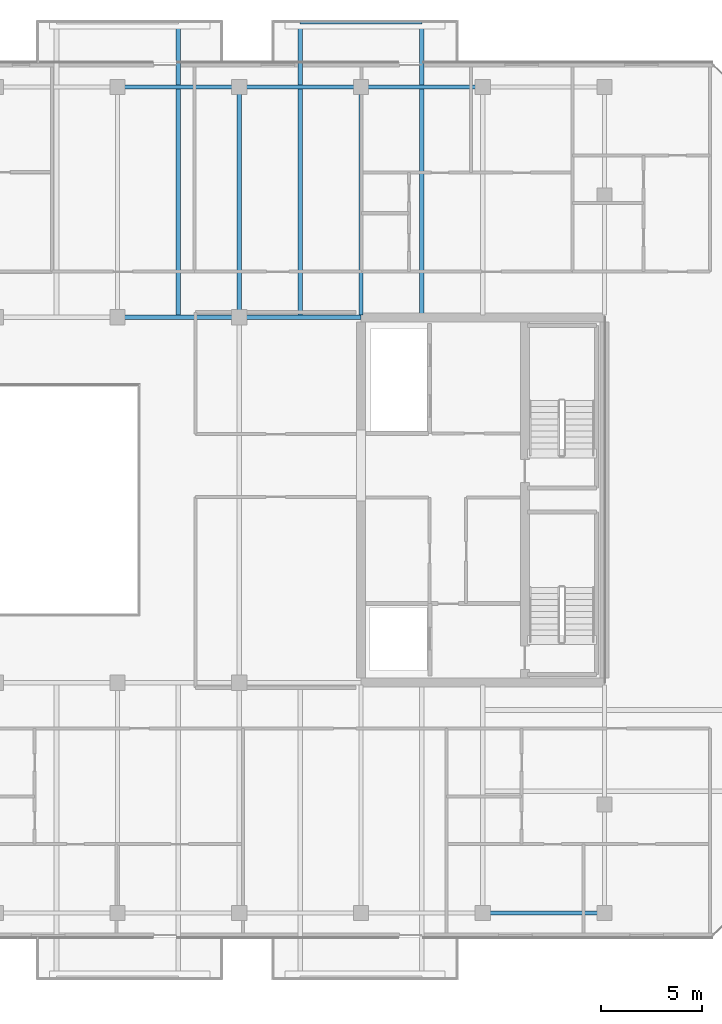
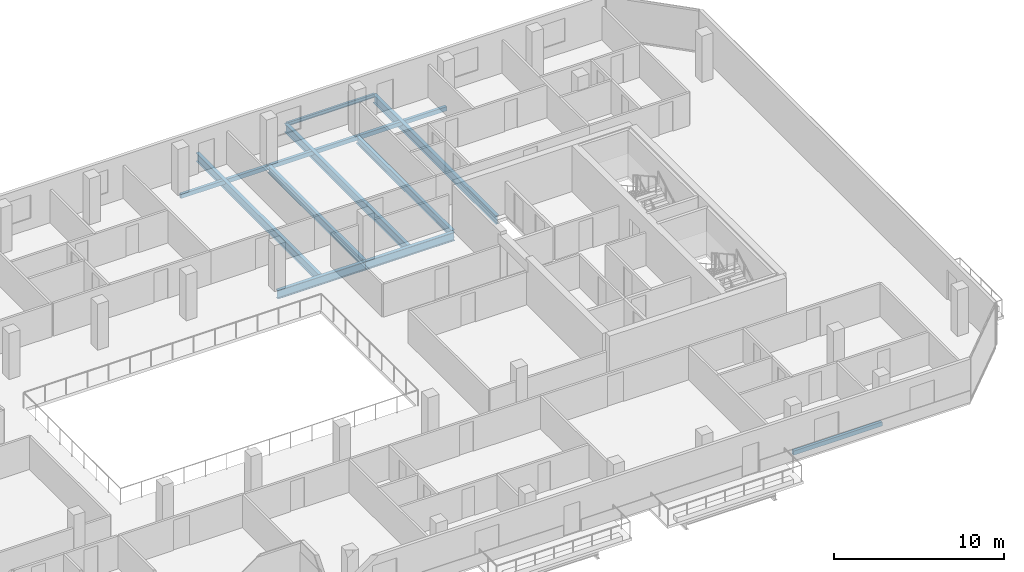
# One storey, part 13 of 28: 12 beams.
"""IFC4 building model written with IfcOpenShell, lengths in metres."""

from ifc_helpers import new_model, si_unit, direction, frame, origin, origin_2d, place, context, subcontext, project, spatial, hollow_rectangle, i_section, extrude, material, material_profile, profile_set, type_object, element, save


model = new_model("IFC4")

# Units and contexts
model_context = context("Model", 3, precision=1e-05, world=origin(), true_north=direction((0.0, 1.0)))
body_context = subcontext(model_context, "Body", "Model", "MODEL_VIEW")
ifc_project = project(units=[si_unit("LENGTHUNIT", "METRE"), si_unit("AREAUNIT", "SQUARE_METRE"), si_unit("VOLUMEUNIT", "CUBIC_METRE"), si_unit("PLANEANGLEUNIT", "RADIAN"), si_unit("MASSUNIT", "GRAM", prefix="KILO")], contexts=[model_context])

# Site, building, storey
site_placement = place(None, origin())
site = spatial("IfcSite", under=ifc_project, at=site_placement, CompositionType="ELEMENT")
building_placement = place(site_placement, origin())
building = spatial("IfcBuilding", under=site, at=building_placement, Name="Tanjung Sevakor Pilgrim Tower", CompositionType="ELEMENT")
storey_placement = place(building_placement, frame((0.0, 0.0, 222.75)))
storey = spatial("IfcBuildingStorey", under=building, at=storey_placement, Name="L62", CompositionType="ELEMENT", Elevation=222.75)

# Beams
ifc_material_1 = material(Name="Steel S355J2", Category="steel")
ifc_material_profile_1 = material_profile(ifc_material_1, i_section(OverallWidth=0.22900390625, OverallDepth=0.6123046875, WebThickness=0.011962890625, FlangeThickness=0.01953125, FilletRadius=0.0126953125, at=origin_2d()))
ifc_profile_set_1 = profile_set([ifc_material_profile_1], Name="Steel S355J2")
beam_type_1 = type_object("IfcBeamType", Name="BM-B-G4-UB_610x229x125", PredefinedType="BEAM", material=ifc_profile_set_1)
for number, where, z_axis, x_axis, name in (
    (1, (66.0, 42.60009765625, -0.526123046875), (1.0, 0.0, 0.0), (0.0, 1.0, 0.0), "L62 Primary Floor Girder MAIN Y426-07"),
    (2, (72.0, 42.60009765625, -0.526123046875), (1.0, 0.0, 0.0), (0.0, 1.0, 0.0), "L62 Primary Floor Girder MAIN Y426-08"),
):
    element("IfcBeam", number, at=place(storey_placement, frame(where, z_axis=z_axis, x_axis=x_axis)), inside=storey, type_object=beam_type_1, Name=name, PredefinedType="BEAM", context=body_context, shape_type="SweptSolid", body=[
        extrude(i_section(OverallWidth=0.22900390625, OverallDepth=0.6123046875, WebThickness=0.011962890625, FlangeThickness=0.01953125, FilletRadius=0.0126953125, at=origin_2d()), origin(), (0.0, 0.0, 1.0), 6.0),
    ])
for number, where, z_axis, x_axis, name in (
    (3, (69.0, 42.714599609375, -0.526123046875), (0.0, 1.0, 0.0), (-1.0, 0.0, 0.0), "L62 Balcony Cantilever Beam MAIN-N2-2"),
    (4, (75.0, 42.714599609375, -0.526123046875), (0.0, 1.0, 0.0), (-1.0, 0.0, 0.0), "L62 Balcony Cantilever Beam MAIN-N3-1"),
    (5, (81.0, 42.714599609375, -0.526123046875), (0.0, 1.0, 0.0), (-1.0, 0.0, 0.0), "L62 Balcony Cantilever Beam MAIN-N3-2"),
):
    element("IfcBeam", number, at=place(storey_placement, frame(where, z_axis=z_axis, x_axis=x_axis)), inside=storey, type_object=beam_type_1, Name=name, PredefinedType="BEAM", context=body_context, shape_type="SweptSolid", body=[
        extrude(i_section(OverallWidth=0.22900390625, OverallDepth=0.6123046875, WebThickness=0.011962890625, FlangeThickness=0.01953125, FilletRadius=0.0126953125, at=origin_2d()), origin(), (0.0, 0.0, 1.0), 14.415283203125),
    ])
ifc_material_2 = material(Name="Steel S355J2", Category="steel")
ifc_material_profile_2 = material_profile(ifc_material_2, i_section(OverallWidth=0.2119140625, OverallDepth=0.54443359375, WebThickness=0.0126953125, FlangeThickness=0.021240234375, FilletRadius=0.0126953125, at=origin_2d()))
ifc_profile_set_2 = profile_set([ifc_material_profile_2], Name="Steel S355J2")
beam_type_2 = type_object("IfcBeamType", Name="BM-B-G5-UB_533x210x122", PredefinedType="BEAM", material=ifc_profile_set_2)
beam_1_placement = place(storey_placement, frame((72.0, 42.60009765625, -0.4921875), z_axis=(0.0, 1.0, 0.0), x_axis=(-1.0, 0.0, 0.0)))
element("IfcBeam", 6, at=beam_1_placement, inside=storey, type_object=beam_type_2, Name="L62 MAIN Girder 014", PredefinedType="BEAM", context=body_context, shape_type="SweptSolid", body=[
    extrude(i_section(OverallWidth=0.2119140625, OverallDepth=0.54443359375, WebThickness=0.0126953125, FlangeThickness=0.021240234375, FilletRadius=0.0126953125, at=origin_2d()), origin(), (0.0, 0.0, 1.0), 11.349853515625),
])
beam_2_placement = place(storey_placement, frame((78.0, 42.714599609375, -0.4921875), z_axis=(0.0, 1.0, 0.0), x_axis=(-1.0, 0.0, 0.0)))
element("IfcBeam", 7, at=beam_2_placement, inside=storey, type_object=beam_type_2, Name="L62 MAIN Girder 016", PredefinedType="BEAM", context=body_context, shape_type="SweptSolid", body=[
    extrude(i_section(OverallWidth=0.2119140625, OverallDepth=0.54443359375, WebThickness=0.0126953125, FlangeThickness=0.021240234375, FilletRadius=0.0126953125, at=origin_2d()), origin(), (0.0, 0.0, 1.0), 11.2353515625),
])
ifc_material_3 = material(Name="Steel S355J2", Category="steel")
ifc_material_profile_3 = material_profile(ifc_material_3, i_section(OverallWidth=0.146484375, OverallDepth=0.256103515625, WebThickness=0.00634765625, FlangeThickness=0.010986328125, FilletRadius=0.007568359375, at=origin_2d()))
ifc_profile_set_3 = profile_set([ifc_material_profile_3], Name="Steel S355J2")
beam_type_3 = type_object("IfcBeamType", Name="BM-B-J6-UB_254x146x37", PredefinedType="JOIST", material=ifc_profile_set_3)
beam_3_placement = place(storey_placement, frame((75.0, 57.1298828125, -0.327880859375), z_axis=(1.0, 0.0, 0.0), x_axis=(0.0, 1.0, 0.0)))
element("IfcBeam", 8, at=beam_3_placement, inside=storey, type_object=beam_type_3, Name="L62 Balcony Rim Tie MAIN-N3", PredefinedType="JOIST", context=body_context, shape_type="SweptSolid", body=[
    extrude(i_section(OverallWidth=0.146484375, OverallDepth=0.256103515625, WebThickness=0.00634765625, FlangeThickness=0.010986328125, FilletRadius=0.007568359375, at=origin_2d()), origin(), (0.0, 0.0, 1.0), 6.0),
])
ifc_material_4 = material(Name="Steel S355J2", Category="steel")
ifc_material_profile_4 = material_profile(ifc_material_4, hollow_rectangle(XDim=0.199951171875, YDim=0.300048828125, WallThickness=0.012451171875, at=origin_2d()))
ifc_profile_set_4 = profile_set([ifc_material_profile_4], Name="Steel S355J2")
beam_type_4 = type_object("IfcBeamType", Name="BM-B-SP3-RHS_300x200x12.5", PredefinedType="SPANDREL", material=ifc_profile_set_4)
for number, where, z_axis, x_axis, name in (
    (9, (66.0, 53.949951171875, -0.3701171875), (1.0, 0.0, 0.0), (0.0, 1.0, 0.0), "L62 Spandrel MAIN N-10"),
    (10, (72.0, 53.949951171875, -0.3701171875), (1.0, 0.0, 0.0), (0.0, 1.0, 0.0), "L62 Spandrel MAIN N-12"),
    (11, (78.0, 53.949951171875, -0.3701171875), (1.0, 0.0, 0.0), (0.0, 1.0, 0.0), "L62 Spandrel MAIN N-14"),
    (12, (84.0, 13.25, -0.3701171875), (1.0, 0.0, 0.0), (0.0, 1.0, 0.0), "L62 Spandrel MAIN S-15"),
):
    element("IfcBeam", number, at=place(storey_placement, frame(where, z_axis=z_axis, x_axis=x_axis)), inside=storey, type_object=beam_type_4, Name=name, PredefinedType="SPANDREL", context=body_context, shape_type="SweptSolid", body=[
        extrude(hollow_rectangle(XDim=0.199951171875, YDim=0.300048828125, WallThickness=0.012451171875, at=origin_2d()), origin(), (0.0, 0.0, 1.0), 6.0),
    ])

save(model, "model.ifc")
